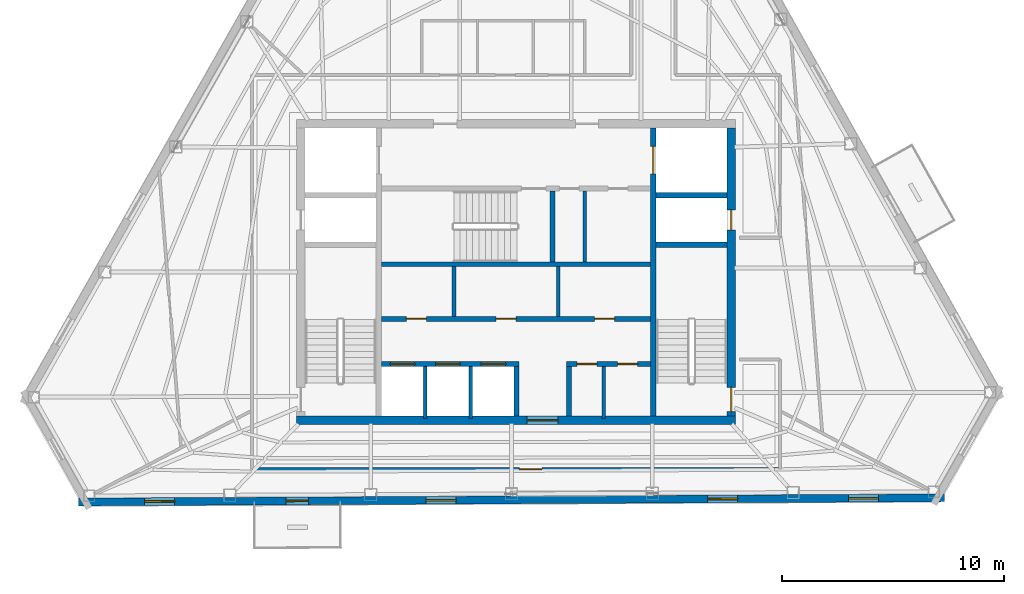
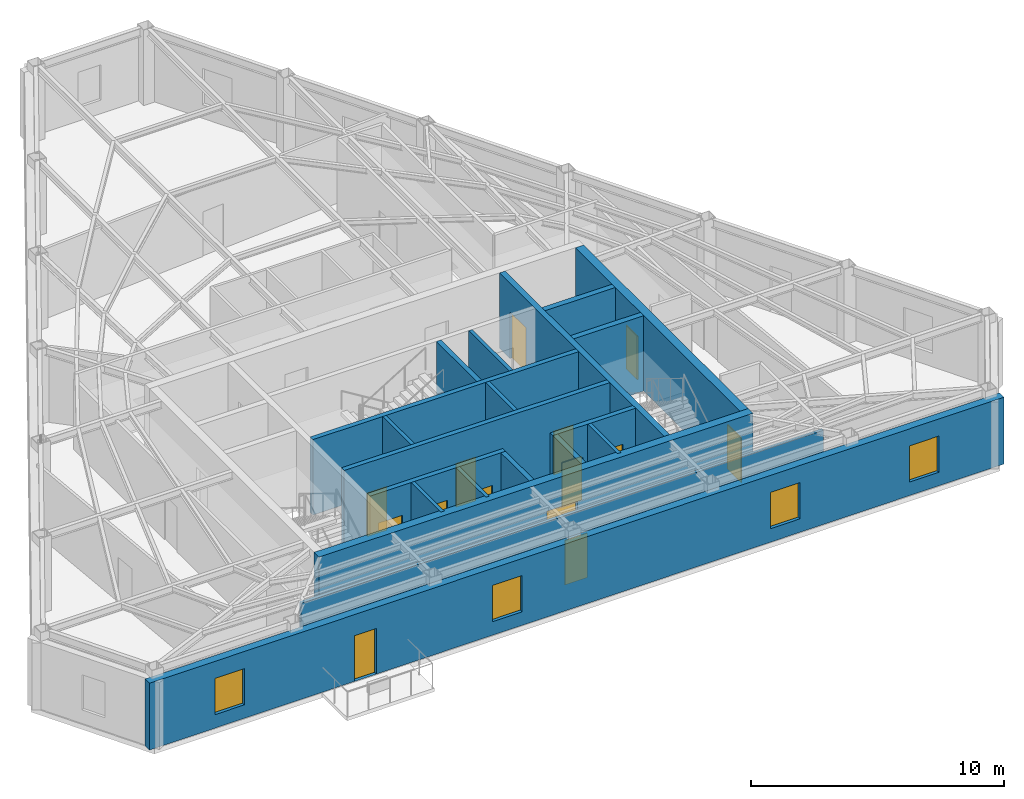
# One storey, part 5 of 9: 20 walls, 14 doors, 4 windows, 18 openings.
"""IFC4 building model written with IfcOpenShell, lengths in metres."""

from ifc_helpers import new_model, si_unit, direction, frame, frame_2d, origin, place, context, subcontext, project, spatial, rectangle, extrude, material, layer, layer_set, type_object, element, fill, save


model = new_model("IFC4")

# Units and contexts
model_context = context("Model", 3, precision=1e-05, world=origin(), true_north=direction((0.0, 1.0)))
body_context = subcontext(model_context, "Body", "Model", "MODEL_VIEW")
ifc_project = project(units=[si_unit("LENGTHUNIT", "METRE"), si_unit("AREAUNIT", "SQUARE_METRE"), si_unit("VOLUMEUNIT", "CUBIC_METRE"), si_unit("PLANEANGLEUNIT", "RADIAN"), si_unit("MASSUNIT", "GRAM", prefix="KILO")], contexts=[model_context])

# Site, building, storey
site_placement = place(None, origin())
site = spatial("IfcSite", under=ifc_project, at=site_placement, CompositionType="ELEMENT")
building_placement = place(site_placement, origin())
building = spatial("IfcBuilding", under=site, at=building_placement, Name="Kavelnor Concourse Tower", CompositionType="ELEMENT")
storey_placement = place(building_placement, frame((0.0, 0.0, 301.10009765625)))
storey = spatial("IfcBuildingStorey", under=building, at=storey_placement, Name="L76", CompositionType="ELEMENT", Elevation=301.10009765625)

# Wall, opening, door
ifc_material_1 = material(Name="Concrete C50/60", Category="concrete")
ifc_layer_1 = layer(ifc_material_1, 0.3798828125, Name="Concrete C50/60")
ifc_layer_set_1 = layer_set([ifc_layer_1], Name="Concrete C50/60")
wall_type_1 = type_object("IfcWallType", Name="WL-CORE-Z4-380", PredefinedType="SOLIDWALL", material=ifc_layer_set_1)
wall_1_placement = place(storey_placement, frame((28.10009765625, 9.409912109375, 0.0), z_axis=(0.0, 0.0, 1.0), x_axis=(1.0, 0.0, 0.0)))
wall_1 = element("IfcWall", 1, at=wall_1_placement, inside=storey, type_object=wall_type_1, Name="L76 Central Core South Shear Wall", PredefinedType="SOLIDWALL", context=body_context, shape_type="SweptSolid", body=[
    extrude(rectangle(XDim=19.7998046875, YDim=0.3798828125, at=frame_2d((9.89990234375, 0.0))), origin(), (0.0, 0.0, 1.0), 3.635009765625),
])
opening_1_placement = place(wall_1_placement, frame((10.39990234375, 0.0, 0.0)))
opening_1 = element("IfcOpeningElement", 2, at=opening_1_placement, cuts=wall_1, Name="Opening SD-140", PredefinedType="OPENING", context=body_context, shape_type="SweptSolid", body=[
    extrude(rectangle(XDim=1.39990234375, YDim=2.199951171875, at=frame_2d((0.699951171875, 1.10009765625))), frame((0.0, 0.199951171875, 0.0), z_axis=(0.0, -1.0, 0.0), x_axis=(1.0, 0.0, 0.0)), (0.0, 0.0, 1.0), 0.39990234375),
])
ifc_material_2 = material(Name="Solid-core hardwood timber", Category="wood")
door_type_1 = type_object("IfcDoorType", Name="DR-SUITE-ENTRY-1400", OperationType="NOTDEFINED", PredefinedType="DOOR", material=ifc_material_2)
door_1_placement = place(opening_1_placement, origin())
door_1 = element("IfcDoor", 3, at=door_1_placement, inside=storey, type_object=door_type_1, Name="L76 Passenger Lift Lobby Entry Door", OperationType="SINGLE_SWING_LEFT", OverallHeight=2.199951171875, OverallWidth=1.39990234375, PredefinedType="DOOR", context=body_context, shape_type="SweptSolid", body=[
    extrude(rectangle(XDim=1.39990234375, YDim=2.199951171875, at=frame_2d((0.699951171875, 1.10009765625))), frame((0.0, 0.02490234375, 0.0), z_axis=(0.0, -1.0, 0.0), x_axis=(1.0, 0.0, 0.0)), (0.0, 0.0, 1.0), 0.050048828125),
])
fill(opening_1, door_1)

# Wall, openings, doors
wall_2_placement = place(storey_placement, frame((47.7099609375, 9.60009765625, 0.0), z_axis=(0.0, 0.0, 1.0), x_axis=(0.0, 1.0, 0.0)))
wall_2 = element("IfcWall", 4, at=wall_2_placement, inside=storey, type_object=wall_type_1, Name="L76 Central Core East Shear Wall", PredefinedType="SOLIDWALL", context=body_context, shape_type="SweptSolid", body=[
    extrude(rectangle(XDim=13.0, YDim=0.3798828125, at=frame_2d((6.5, 0.0))), origin(), (0.0, 0.0, 1.0), 3.635009765625),
])
opening_2_placement = place(wall_2_placement, frame((0.199951171875, 0.0, 0.0)))
opening_2 = element("IfcOpeningElement", 5, at=opening_2_placement, cuts=wall_2, Name="Opening FD-110", PredefinedType="OPENING", context=body_context, shape_type="SweptSolid", body=[
    extrude(rectangle(XDim=1.10009765625, YDim=2.14990234375, at=frame_2d((0.550048828125, 1.074951171875))), frame((0.0, 0.199951171875, 0.0), z_axis=(0.0, -1.0, 0.0), x_axis=(1.0, 0.0, 0.0)), (0.0, 0.0, 1.0), 0.39990234375),
])
opening_3_placement = place(wall_2_placement, frame((8.39990234375, 0.0, 0.0)))
opening_3 = element("IfcOpeningElement", 6, at=opening_3_placement, cuts=wall_2, Name="Opening FD-090", PredefinedType="OPENING", context=body_context, shape_type="SweptSolid", body=[
    extrude(rectangle(XDim=0.89990234375, YDim=2.10009765625, at=frame_2d((0.449951171875, 1.050048828125))), frame((0.0, 0.199951171875, 0.0), z_axis=(0.0, -1.0, 0.0), x_axis=(1.0, 0.0, 0.0)), (0.0, 0.0, 1.0), 0.39990234375),
])
ifc_material_3 = material(Name="Steel Grade 350", Category="steel")
door_type_2 = type_object("IfcDoorType", Name="DR-RISER-FIRE-900", OperationType="NOTDEFINED", PredefinedType="DOOR", material=ifc_material_3)
door_2_placement = place(opening_3_placement, origin())
door_2 = element("IfcDoor", 7, at=door_2_placement, inside=storey, type_object=door_type_2, Name="L76 East Riser Access Door", OperationType="SINGLE_SWING_LEFT", OverallHeight=2.10009765625, OverallWidth=0.89990234375, PredefinedType="DOOR", context=body_context, shape_type="SweptSolid", body=[
    extrude(rectangle(XDim=0.89990234375, YDim=2.10009765625, at=frame_2d((0.449951171875, 1.050048828125))), frame((0.0, 0.02490234375, 0.0), z_axis=(0.0, -1.0, 0.0), x_axis=(1.0, 0.0, 0.0)), (0.0, 0.0, 1.0), 0.050048828125),
])
fill(opening_3, door_2)
door_type_3 = type_object("IfcDoorType", Name="DR-STAIR-FIRE-1100", OperationType="NOTDEFINED", PredefinedType="DOOR", material=ifc_material_3)
door_3_placement = place(opening_2_placement, origin())
door_3 = element("IfcDoor", 8, at=door_3_placement, inside=storey, type_object=door_type_3, Name="L76 Stair ST2 Fire Door", OperationType="SINGLE_SWING_RIGHT", OverallHeight=2.14990234375, OverallWidth=1.10009765625, PredefinedType="DOOR", context=body_context, shape_type="SweptSolid", body=[
    extrude(rectangle(XDim=1.10009765625, YDim=2.14990234375, at=frame_2d((0.550048828125, 1.074951171875))), frame((0.0, 0.02490234375, 0.0), z_axis=(0.0, -1.0, 0.0), x_axis=(1.0, 0.0, 0.0)), (0.0, 0.0, 1.0), 0.050048828125),
])
fill(opening_2, door_3)

# Wall, openings, door, windows
ifc_material_4 = material(Name="Red-ochre clay face brick masonry", Category="masonry")
ifc_layer_2 = layer(ifc_material_4, 0.35009765625, Name="Red-ochre clay face brick masonry")
ifc_layer_set_2 = layer_set([ifc_layer_2], Name="Red-ochre clay face brick masonry")
wall_type_2 = type_object("IfcWallType", Name="WL-EXT-RED-BRICK-PIER-350", PredefinedType="STANDARD", material=ifc_layer_set_2)
wall_3_placement = place(storey_placement, frame((57.3291015625, 5.912353515625, 0.0), z_axis=(0.0, 0.0, 1.0), x_axis=(-0.999988664308, -0.004761434209, 0.0)))
wall_3 = element("IfcWall", 9, at=wall_3_placement, inside=storey, type_object=wall_type_2, Name="L76 Exterior Brick Facade Wall E3", PredefinedType="STANDARD", context=body_context, shape_type="SweptSolid", body=[
    extrude(rectangle(XDim=39.0712890625, YDim=0.35009765625, at=frame_2d((19.53564453125, 0.0))), origin(), (0.0, 0.0, 1.0), 3.220947265625),
])
opening_4_placement = place(wall_3_placement, frame((28.703369140625, 0.0, 0.0)))
opening_4 = element("IfcOpeningElement", 10, at=opening_4_placement, cuts=wall_3, Name="Opening BD-100", PredefinedType="OPENING", context=body_context, shape_type="SweptSolid", body=[
    extrude(rectangle(XDim=1.0, YDim=2.199951171875, at=frame_2d((0.5, 1.10009765625))), frame((0.0, 0.18505859375, 0.0), z_axis=(0.0, -1.0, 0.0), x_axis=(1.0, 0.0, 0.0)), (0.0, 0.0, 1.0), 0.3701171875),
])
opening_5_placement = place(wall_3_placement, frame((34.73779296875, 0.0, 0.64990234375)))
opening_5 = element("IfcOpeningElement", 11, at=opening_5_placement, cuts=wall_3, Name="Opening W-04", PredefinedType="OPENING", context=body_context, shape_type="SweptSolid", body=[
    extrude(rectangle(XDim=1.35009765625, YDim=1.75, at=frame_2d((0.675048828125, 0.875))), frame((0.0, 0.18505859375, 0.0), z_axis=(0.0, -1.0, 0.0), x_axis=(1.0, 0.0, 0.0)), (0.0, 0.0, 1.0), 0.3701171875),
])
opening_6_placement = place(wall_3_placement, frame((22.0341796875, 0.0, 0.64990234375)))
opening_6 = element("IfcOpeningElement", 12, at=opening_6_placement, cuts=wall_3, Name="Opening W-04", PredefinedType="OPENING", context=body_context, shape_type="SweptSolid", body=[
    extrude(rectangle(XDim=1.35009765625, YDim=1.75, at=frame_2d((0.675048828125, 0.875))), frame((0.0, 0.18505859375, 0.0), z_axis=(0.0, -1.0, 0.0), x_axis=(1.0, 0.0, 0.0)), (0.0, 0.0, 1.0), 0.3701171875),
])
opening_7_placement = place(wall_3_placement, frame((9.330810546875, 0.0, 0.64990234375)))
opening_7 = element("IfcOpeningElement", 13, at=opening_7_placement, cuts=wall_3, Name="Opening W-04", PredefinedType="OPENING", context=body_context, shape_type="SweptSolid", body=[
    extrude(rectangle(XDim=1.35009765625, YDim=1.75, at=frame_2d((0.675048828125, 0.875))), frame((0.0, 0.18505859375, 0.0), z_axis=(0.0, -1.0, 0.0), x_axis=(1.0, 0.0, 0.0)), (0.0, 0.0, 1.0), 0.3701171875),
])
opening_8_placement = place(wall_3_placement, frame((2.97900390625, 0.0, 0.64990234375)))
opening_8 = element("IfcOpeningElement", 14, at=opening_8_placement, cuts=wall_3, Name="Opening W-04", PredefinedType="OPENING", context=body_context, shape_type="SweptSolid", body=[
    extrude(rectangle(XDim=1.35009765625, YDim=1.75, at=frame_2d((0.675048828125, 0.875))), frame((0.0, 0.18505859375, 0.0), z_axis=(0.0, -1.0, 0.0), x_axis=(1.0, 0.0, 0.0)), (0.0, 0.0, 1.0), 0.3701171875),
])
ifc_material_5 = material(Name="Anodised aluminium 6063-T6", Category="aluminium")
door_type_4 = type_object("IfcDoorType", Name="DR-BALCONY-EXT-1000", OperationType="NOTDEFINED", PredefinedType="DOOR", material=ifc_material_5)
door_4_placement = place(opening_4_placement, origin())
door_4 = element("IfcDoor", 15, at=door_4_placement, inside=storey, type_object=door_type_4, Name="L76 Tree Balcony 1 Glazed Door", OperationType="SINGLE_SWING_LEFT", OverallHeight=2.199951171875, OverallWidth=1.0, PredefinedType="DOOR", context=body_context, shape_type="SweptSolid", body=[
    extrude(rectangle(XDim=1.0, YDim=2.199951171875, at=frame_2d((0.5, 1.10009765625))), frame((0.0, 0.02490234375, 0.0), z_axis=(0.0, -1.0, 0.0), x_axis=(1.0, 0.0, 0.0)), (0.0, 0.0, 1.0), 0.050048828125),
])
fill(opening_4, door_4)
ifc_material_6 = material(Name="Double low-E argon insulated glazing", Category="glass")
window_type = type_object("IfcWindowType", Name="WIN-PIER-Z4-1350", PartitioningType="SINGLE_PANEL", PredefinedType="WINDOW", material=ifc_material_6)
window_1_placement = place(opening_5_placement, origin())
window_1 = element("IfcWindow", 16, at=window_1_placement, inside=storey, type_object=window_type, Name="L76 Deep-Set Brick Pier Window F1-B0", OverallHeight=1.75, OverallWidth=1.35009765625, PartitioningType="SINGLE_PANEL", PredefinedType="WINDOW", context=body_context, shape_type="SweptSolid", body=[
    extrude(rectangle(XDim=1.35009765625, YDim=1.75, at=frame_2d((0.675048828125, 0.875))), frame((0.0, 0.030029296875, 0.0), z_axis=(0.0, -1.0, 0.0), x_axis=(1.0, 0.0, 0.0)), (0.0, 0.0, 1.0), 0.06005859375),
])
fill(opening_5, window_1)
window_2_placement = place(opening_6_placement, origin())
window_2 = element("IfcWindow", 17, at=window_2_placement, inside=storey, type_object=window_type, Name="L76 Deep-Set Brick Pier Window F1-B2", OverallHeight=1.75, OverallWidth=1.35009765625, PartitioningType="SINGLE_PANEL", PredefinedType="WINDOW", context=body_context, shape_type="SweptSolid", body=[
    extrude(rectangle(XDim=1.35009765625, YDim=1.75, at=frame_2d((0.675048828125, 0.875))), frame((0.0, 0.030029296875, 0.0), z_axis=(0.0, -1.0, 0.0), x_axis=(1.0, 0.0, 0.0)), (0.0, 0.0, 1.0), 0.06005859375),
])
fill(opening_6, window_2)
window_3_placement = place(opening_7_placement, origin())
window_3 = element("IfcWindow", 18, at=window_3_placement, inside=storey, type_object=window_type, Name="L76 Deep-Set Brick Pier Window F1-B4", OverallHeight=1.75, OverallWidth=1.35009765625, PartitioningType="SINGLE_PANEL", PredefinedType="WINDOW", context=body_context, shape_type="SweptSolid", body=[
    extrude(rectangle(XDim=1.35009765625, YDim=1.75, at=frame_2d((0.675048828125, 0.875))), frame((0.0, 0.030029296875, 0.0), z_axis=(0.0, -1.0, 0.0), x_axis=(1.0, 0.0, 0.0)), (0.0, 0.0, 1.0), 0.06005859375),
])
fill(opening_7, window_3)
window_4_placement = place(opening_8_placement, origin())
window_4 = element("IfcWindow", 19, at=window_4_placement, inside=storey, type_object=window_type, Name="L76 Deep-Set Brick Pier Window F1-B5", OverallHeight=1.75, OverallWidth=1.35009765625, PartitioningType="SINGLE_PANEL", PredefinedType="WINDOW", context=body_context, shape_type="SweptSolid", body=[
    extrude(rectangle(XDim=1.35009765625, YDim=1.75, at=frame_2d((0.675048828125, 0.875))), frame((0.0, 0.030029296875, 0.0), z_axis=(0.0, -1.0, 0.0), x_axis=(1.0, 0.0, 0.0)), (0.0, 0.0, 1.0), 0.06005859375),
])
fill(opening_8, window_4)

# Wall, opening, door
ifc_material_7 = material(Name="Gypsum plasterboard on light-gauge steel studs", Category="steel")
ifc_layer_3 = layer(ifc_material_7, 0.14501953125, Name="Gypsum plasterboard on light-gauge steel studs")
ifc_layer_set_3 = layer_set([ifc_layer_3], Name="Gypsum plasterboard on light-gauge steel studs")
wall_type_3 = type_object("IfcWallType", Name="WL-INT-CORR-145", PredefinedType="PARTITIONING", material=ifc_layer_set_3)
wall_4_placement = place(storey_placement, frame((49.909912109375, 7.2099609375, 0.0), z_axis=(0.0, 0.0, 1.0), x_axis=(-1.0, 0.0, 0.0)))
wall_4 = element("IfcWall", 20, at=wall_4_placement, inside=storey, type_object=wall_type_3, Name="L76 Corridor Wall WL-L76-CR-09", PredefinedType="PARTITIONING", context=body_context, shape_type="SweptSolid", body=[
    extrude(rectangle(XDim=23.81982421875, YDim=0.14501953125, at=frame_2d((11.909912109375, 0.0))), origin(), (0.0, 0.0, 1.0), 3.3740234375),
])
opening_9_placement = place(wall_4_placement, frame((10.739990234375, 0.0, 0.0)))
opening_9 = element("IfcOpeningElement", 21, at=opening_9_placement, cuts=wall_4, Name="Opening MD-102", PredefinedType="OPENING", context=body_context, shape_type="SweptSolid", body=[
    extrude(rectangle(XDim=1.02001953125, YDim=2.14990234375, at=frame_2d((0.510009765625, 1.074951171875))), frame((0.0, 0.08251953125, 0.0), z_axis=(0.0, -1.0, 0.0), x_axis=(1.0, 0.0, 0.0)), (0.0, 0.0, 1.0), 0.1650390625),
])
ifc_material_8 = material(Name="Acoustic glazed timber frame", Category="wood")
door_type_5 = type_object("IfcDoorType", Name="DR-MEETING-1020", OperationType="NOTDEFINED", PredefinedType="DOOR", material=ifc_material_8)
door_5_placement = place(opening_9_placement, origin())
door_5 = element("IfcDoor", 22, at=door_5_placement, inside=storey, type_object=door_type_5, Name="L76 Client Boardroom 07 Door", OperationType="SINGLE_SWING_RIGHT", OverallHeight=2.14990234375, OverallWidth=1.02001953125, PredefinedType="DOOR", context=body_context, shape_type="SweptSolid", body=[
    extrude(rectangle(XDim=1.02001953125, YDim=2.14990234375, at=frame_2d((0.510009765625, 1.074951171875))), frame((0.0, 0.02490234375, 0.0), z_axis=(0.0, -1.0, 0.0), x_axis=(1.0, 0.0, 0.0)), (0.0, 0.0, 1.0), 0.050048828125),
])
fill(opening_9, door_5)

# Walls
ifc_layer_4 = layer(ifc_material_7, 0.1650390625, Name="Gypsum plasterboard on light-gauge steel studs")
ifc_layer_set_4 = layer_set([ifc_layer_4], Name="Gypsum plasterboard on light-gauge steel studs")
wall_type_4 = type_object("IfcWallType", Name="WL-INT-FIRE-165", PredefinedType="PARTITIONING", material=ifc_layer_set_4)
for number, where, z_axis, x_axis, name in (
    (23, (33.89990234375, 9.489990234375, 0.0), (0.0, 0.0, 1.0), (0.0, 1.0, 0.0), "L76 Lift Shaft Divider LP7"),
    (24, (35.949951171875, 9.489990234375, 0.0), (0.0, 0.0, 1.0), (0.0, 1.0, 0.0), "L76 Lift Shaft Divider LP8"),
):
    element("IfcWall", number, at=place(storey_placement, frame(where, z_axis=z_axis, x_axis=x_axis)), inside=storey, type_object=wall_type_4, Name=name, PredefinedType="PARTITIONING", context=body_context, shape_type="SweptSolid", body=[
        extrude(rectangle(XDim=2.35009765625, YDim=0.1650390625, at=frame_2d((1.175048828125, 0.0))), origin(), (0.0, 0.0, 1.0), 3.635009765625),
    ])
for number, where, z_axis, x_axis, name in (
    (25, (35.199951171875, 14.10009765625, 0.0), (0.0, 0.0, 1.0), (0.0, 1.0, 0.0), "L76 Reclaimed Core Partition A"),
    (26, (39.89990234375, 14.10009765625, 0.0), (0.0, 0.0, 1.0), (0.0, 1.0, 0.0), "L76 Reclaimed Core Partition B"),
):
    element("IfcWall", number, at=place(storey_placement, frame(where, z_axis=z_axis, x_axis=x_axis)), inside=storey, type_object=wall_type_4, Name=name, PredefinedType="PARTITIONING", context=body_context, shape_type="SweptSolid", body=[
        extrude(rectangle(XDim=2.239990234375, YDim=0.1650390625, at=frame_2d((1.1201171875, 0.0))), origin(), (0.0, 0.0, 1.0), 3.635009765625),
    ])
wall_5_placement = place(storey_placement, frame((41.10009765625, 16.56005859375, 0.0), z_axis=(0.0, 0.0, 1.0), x_axis=(0.0, 1.0, 0.0)))
element("IfcWall", 27, at=wall_5_placement, inside=storey, type_object=wall_type_4, Name="L76 Core Support West Divider", PredefinedType="PARTITIONING", context=body_context, shape_type="SweptSolid", body=[
    extrude(rectangle(XDim=3.199951171875, YDim=0.1650390625, at=frame_2d((1.60009765625, 0.0))), origin(), (0.0, 0.0, 1.0), 3.635009765625),
])
wall_6_placement = place(storey_placement, frame((41.949951171875, 9.489990234375, 0.0), z_axis=(0.0, 0.0, 1.0), x_axis=(0.0, 1.0, 0.0)))
element("IfcWall", 28, at=wall_6_placement, inside=storey, type_object=wall_type_4, Name="L76 Core WC Partition", PredefinedType="PARTITIONING", context=body_context, shape_type="SweptSolid", body=[
    extrude(rectangle(XDim=2.35009765625, YDim=0.1650390625, at=frame_2d((1.175048828125, 0.0))), origin(), (0.0, 0.0, 1.0), 3.635009765625),
])
ifc_layer_5 = layer(ifc_material_1, 0.219970703125, Name="Concrete C50/60")
ifc_layer_set_5 = layer_set([ifc_layer_5], Name="Concrete C50/60")
wall_type_5 = type_object("IfcWallType", Name="WL-SHAFT-220", PredefinedType="SOLIDWALL", material=ifc_layer_set_5)
wall_7_placement = place(storey_placement, frame((31.93994140625, 16.449951171875, 0.0), z_axis=(0.0, 0.0, 1.0), x_axis=(1.0, 0.0, 0.0)))
element("IfcWall", 29, at=wall_7_placement, inside=storey, type_object=wall_type_5, Name="L76 Stair ST3 South Core Wall", PredefinedType="SOLIDWALL", context=body_context, shape_type="SweptSolid", body=[
    extrude(rectangle(XDim=12.1201171875, YDim=0.219970703125, at=frame_2d((6.06005859375, 0.0))), origin(), (0.0, 0.0, 1.0), 3.635009765625),
])
wall_8_placement = place(storey_placement, frame((39.64990234375, 16.56005859375, 0.0), z_axis=(0.0, 0.0, 1.0), x_axis=(0.0, 1.0, 0.0)))
element("IfcWall", 30, at=wall_8_placement, inside=storey, type_object=wall_type_5, Name="L76 Stair ST3 East Core Wall", PredefinedType="SOLIDWALL", context=body_context, shape_type="SweptSolid", body=[
    extrude(rectangle(XDim=3.199951171875, YDim=0.219970703125, at=frame_2d((1.60009765625, 0.0))), origin(), (0.0, 0.0, 1.0), 3.635009765625),
])

# Wall, openings, doors
wall_9_placement = place(storey_placement, frame((31.93994140625, 13.989990234375, 0.0), z_axis=(0.0, 0.0, 1.0), x_axis=(1.0, 0.0, 0.0)))
wall_9 = element("IfcWall", 31, at=wall_9_placement, inside=storey, type_object=wall_type_5, Name="L76 North Lift Row Shaft Wall", PredefinedType="SOLIDWALL", context=body_context, shape_type="SweptSolid", body=[
    extrude(rectangle(XDim=12.1201171875, YDim=0.219970703125, at=frame_2d((6.06005859375, 0.0))), origin(), (0.0, 0.0, 1.0), 3.635009765625),
])
opening_10_placement = place(wall_9_placement, frame((1.110107421875, 0.0, 0.0)))
opening_10 = element("IfcOpeningElement", 32, at=opening_10_placement, cuts=wall_9, Name="Opening FD-090", PredefinedType="OPENING", context=body_context, shape_type="SweptSolid", body=[
    extrude(rectangle(XDim=0.89990234375, YDim=2.10009765625, at=frame_2d((0.449951171875, 1.050048828125))), frame((0.0, 0.1201171875, 0.0), z_axis=(0.0, -1.0, 0.0), x_axis=(1.0, 0.0, 0.0)), (0.0, 0.0, 1.0), 0.239990234375),
])
opening_11_placement = place(wall_9_placement, frame((5.159912109375, 0.0, 0.0)))
opening_11 = element("IfcOpeningElement", 33, at=opening_11_placement, cuts=wall_9, Name="Opening FD-090", PredefinedType="OPENING", context=body_context, shape_type="SweptSolid", body=[
    extrude(rectangle(XDim=0.89990234375, YDim=2.10009765625, at=frame_2d((0.449951171875, 1.050048828125))), frame((0.0, 0.1201171875, 0.0), z_axis=(0.0, -1.0, 0.0), x_axis=(1.0, 0.0, 0.0)), (0.0, 0.0, 1.0), 0.239990234375),
])
opening_12_placement = place(wall_9_placement, frame((9.610107421875, 0.0, 0.0)))
opening_12 = element("IfcOpeningElement", 34, at=opening_12_placement, cuts=wall_9, Name="Opening FD-090", PredefinedType="OPENING", context=body_context, shape_type="SweptSolid", body=[
    extrude(rectangle(XDim=0.89990234375, YDim=2.10009765625, at=frame_2d((0.449951171875, 1.050048828125))), frame((0.0, 0.1201171875, 0.0), z_axis=(0.0, -1.0, 0.0), x_axis=(1.0, 0.0, 0.0)), (0.0, 0.0, 1.0), 0.239990234375),
])
door_6_placement = place(opening_10_placement, origin())
door_6 = element("IfcDoor", 35, at=door_6_placement, inside=storey, type_object=door_type_2, Name="L76 Reclaimed Core Door A", OperationType="SINGLE_SWING_RIGHT", OverallHeight=2.10009765625, OverallWidth=0.89990234375, PredefinedType="DOOR", context=body_context, shape_type="SweptSolid", body=[
    extrude(rectangle(XDim=0.89990234375, YDim=2.10009765625, at=frame_2d((0.449951171875, 1.050048828125))), frame((0.0, 0.02490234375, 0.0), z_axis=(0.0, -1.0, 0.0), x_axis=(1.0, 0.0, 0.0)), (0.0, 0.0, 1.0), 0.050048828125),
])
fill(opening_10, door_6)
door_7_placement = place(opening_11_placement, origin())
door_7 = element("IfcDoor", 36, at=door_7_placement, inside=storey, type_object=door_type_2, Name="L76 Reclaimed Core Door B", OperationType="SINGLE_SWING_LEFT", OverallHeight=2.10009765625, OverallWidth=0.89990234375, PredefinedType="DOOR", context=body_context, shape_type="SweptSolid", body=[
    extrude(rectangle(XDim=0.89990234375, YDim=2.10009765625, at=frame_2d((0.449951171875, 1.050048828125))), frame((0.0, 0.02490234375, 0.0), z_axis=(0.0, -1.0, 0.0), x_axis=(1.0, 0.0, 0.0)), (0.0, 0.0, 1.0), 0.050048828125),
])
fill(opening_11, door_7)
door_8_placement = place(opening_12_placement, origin())
door_8 = element("IfcDoor", 37, at=door_8_placement, inside=storey, type_object=door_type_2, Name="L76 Reclaimed Core Door C", OperationType="SINGLE_SWING_RIGHT", OverallHeight=2.10009765625, OverallWidth=0.89990234375, PredefinedType="DOOR", context=body_context, shape_type="SweptSolid", body=[
    extrude(rectangle(XDim=0.89990234375, YDim=2.10009765625, at=frame_2d((0.449951171875, 1.050048828125))), frame((0.0, 0.02490234375, 0.0), z_axis=(0.0, -1.0, 0.0), x_axis=(1.0, 0.0, 0.0)), (0.0, 0.0, 1.0), 0.050048828125),
])
fill(opening_12, door_8)

wall_10_placement = place(storey_placement, frame((31.93994140625, 11.949951171875, 0.0), z_axis=(0.0, 0.0, 1.0), x_axis=(1.0, 0.0, 0.0)))
wall_10 = element("IfcWall", 38, at=wall_10_placement, inside=storey, type_object=wall_type_5, Name="L76 High-Rise Lift Bank North Wall", PredefinedType="SOLIDWALL", context=body_context, shape_type="SweptSolid", body=[
    extrude(rectangle(XDim=6.18994140625, YDim=0.219970703125, at=frame_2d((3.094970703125, 0.0))), origin(), (0.0, 0.0, 1.0), 3.635009765625),
])
opening_13_placement = place(wall_10_placement, frame((0.385009765625, 0.0, 0.0)))
opening_13 = element("IfcOpeningElement", 39, at=opening_13_placement, cuts=wall_10, Name="Opening LD-110", PredefinedType="OPENING", context=body_context, shape_type="SweptSolid", body=[
    extrude(rectangle(XDim=1.10009765625, YDim=2.199951171875, at=frame_2d((0.550048828125, 1.10009765625))), frame((0.0, 0.1201171875, 0.0), z_axis=(0.0, -1.0, 0.0), x_axis=(1.0, 0.0, 0.0)), (0.0, 0.0, 1.0), 0.239990234375),
])
opening_14_placement = place(wall_10_placement, frame((2.43505859375, 0.0, 0.0)))
opening_14 = element("IfcOpeningElement", 40, at=opening_14_placement, cuts=wall_10, Name="Opening LD-110", PredefinedType="OPENING", context=body_context, shape_type="SweptSolid", body=[
    extrude(rectangle(XDim=1.10009765625, YDim=2.199951171875, at=frame_2d((0.550048828125, 1.10009765625))), frame((0.0, 0.1201171875, 0.0), z_axis=(0.0, -1.0, 0.0), x_axis=(1.0, 0.0, 0.0)), (0.0, 0.0, 1.0), 0.239990234375),
])
opening_15_placement = place(wall_10_placement, frame((4.485107421875, 0.0, 0.0)))
opening_15 = element("IfcOpeningElement", 41, at=opening_15_placement, cuts=wall_10, Name="Opening LD-110", PredefinedType="OPENING", context=body_context, shape_type="SweptSolid", body=[
    extrude(rectangle(XDim=1.10009765625, YDim=2.199951171875, at=frame_2d((0.550048828125, 1.10009765625))), frame((0.0, 0.1201171875, 0.0), z_axis=(0.0, -1.0, 0.0), x_axis=(1.0, 0.0, 0.0)), (0.0, 0.0, 1.0), 0.239990234375),
])
door_type_6 = type_object("IfcDoorType", Name="DR-LIFT-SLIDING-1100", OperationType="NOTDEFINED", PredefinedType="DOOR", material=ifc_material_3)
door_9_placement = place(opening_13_placement, origin())
door_9 = element("IfcDoor", 42, at=door_9_placement, inside=storey, type_object=door_type_6, Name="L76 Lift LP7 Landing Door", OperationType="DOUBLE_DOOR_SLIDING", OverallHeight=2.199951171875, OverallWidth=1.10009765625, PredefinedType="DOOR", context=body_context, shape_type="SweptSolid", body=[
    extrude(rectangle(XDim=1.10009765625, YDim=2.199951171875, at=frame_2d((0.550048828125, 1.10009765625))), frame((0.0, 0.02490234375, 0.0), z_axis=(0.0, -1.0, 0.0), x_axis=(1.0, 0.0, 0.0)), (0.0, 0.0, 1.0), 0.050048828125),
])
fill(opening_13, door_9)
door_10_placement = place(opening_14_placement, origin())
door_10 = element("IfcDoor", 43, at=door_10_placement, inside=storey, type_object=door_type_6, Name="L76 Lift LP8 Landing Door", OperationType="DOUBLE_DOOR_SLIDING", OverallHeight=2.199951171875, OverallWidth=1.10009765625, PredefinedType="DOOR", context=body_context, shape_type="SweptSolid", body=[
    extrude(rectangle(XDim=1.10009765625, YDim=2.199951171875, at=frame_2d((0.550048828125, 1.10009765625))), frame((0.0, 0.02490234375, 0.0), z_axis=(0.0, -1.0, 0.0), x_axis=(1.0, 0.0, 0.0)), (0.0, 0.0, 1.0), 0.050048828125),
])
fill(opening_14, door_10)
door_11_placement = place(opening_15_placement, origin())
door_11 = element("IfcDoor", 44, at=door_11_placement, inside=storey, type_object=door_type_6, Name="L76 Lift LP9 Landing Door", OperationType="DOUBLE_DOOR_SLIDING", OverallHeight=2.199951171875, OverallWidth=1.10009765625, PredefinedType="DOOR", context=body_context, shape_type="SweptSolid", body=[
    extrude(rectangle(XDim=1.10009765625, YDim=2.199951171875, at=frame_2d((0.550048828125, 1.10009765625))), frame((0.0, 0.02490234375, 0.0), z_axis=(0.0, -1.0, 0.0), x_axis=(1.0, 0.0, 0.0)), (0.0, 0.0, 1.0), 0.050048828125),
])
fill(opening_15, door_11)

wall_11_placement = place(storey_placement, frame((40.280029296875, 11.949951171875, 0.0), z_axis=(0.0, 0.0, 1.0), x_axis=(1.0, 0.0, 0.0)))
wall_11 = element("IfcWall", 45, at=wall_11_placement, inside=storey, type_object=wall_type_5, Name="L76 Core South Support North Wall", PredefinedType="SOLIDWALL", context=body_context, shape_type="SweptSolid", body=[
    extrude(rectangle(XDim=3.780029296875, YDim=0.219970703125, at=frame_2d((1.89013671875, 0.0))), origin(), (0.0, 0.0, 1.0), 3.635009765625),
])
opening_16_placement = place(wall_11_placement, frame((0.469970703125, 0.0, 0.0)))
opening_16 = element("IfcOpeningElement", 46, at=opening_16_placement, cuts=wall_11, Name="Opening FD-090", PredefinedType="OPENING", context=body_context, shape_type="SweptSolid", body=[
    extrude(rectangle(XDim=0.89990234375, YDim=2.10009765625, at=frame_2d((0.449951171875, 1.050048828125))), frame((0.0, 0.1201171875, 0.0), z_axis=(0.0, -1.0, 0.0), x_axis=(1.0, 0.0, 0.0)), (0.0, 0.0, 1.0), 0.239990234375),
])
opening_17_placement = place(wall_11_placement, frame((2.300048828125, 0.0, 0.0)))
opening_17 = element("IfcOpeningElement", 47, at=opening_17_placement, cuts=wall_11, Name="Opening FD-090", PredefinedType="OPENING", context=body_context, shape_type="SweptSolid", body=[
    extrude(rectangle(XDim=0.89990234375, YDim=2.10009765625, at=frame_2d((0.449951171875, 1.050048828125))), frame((0.0, 0.1201171875, 0.0), z_axis=(0.0, -1.0, 0.0), x_axis=(1.0, 0.0, 0.0)), (0.0, 0.0, 1.0), 0.239990234375),
])
door_12_placement = place(opening_16_placement, origin())
door_12 = element("IfcDoor", 48, at=door_12_placement, inside=storey, type_object=door_type_2, Name="L76 Staff WC Door", OperationType="SINGLE_SWING_LEFT", OverallHeight=2.10009765625, OverallWidth=0.89990234375, PredefinedType="DOOR", context=body_context, shape_type="SweptSolid", body=[
    extrude(rectangle(XDim=0.89990234375, YDim=2.10009765625, at=frame_2d((0.449951171875, 1.050048828125))), frame((0.0, 0.02490234375, 0.0), z_axis=(0.0, -1.0, 0.0), x_axis=(1.0, 0.0, 0.0)), (0.0, 0.0, 1.0), 0.050048828125),
])
fill(opening_16, door_12)
door_13_placement = place(opening_17_placement, origin())
door_13 = element("IfcDoor", 49, at=door_13_placement, inside=storey, type_object=door_type_2, Name="L76 Core Comms Door", OperationType="SINGLE_SWING_RIGHT", OverallHeight=2.10009765625, OverallWidth=0.89990234375, PredefinedType="DOOR", context=body_context, shape_type="SweptSolid", body=[
    extrude(rectangle(XDim=0.89990234375, YDim=2.10009765625, at=frame_2d((0.449951171875, 1.050048828125))), frame((0.0, 0.02490234375, 0.0), z_axis=(0.0, -1.0, 0.0), x_axis=(1.0, 0.0, 0.0)), (0.0, 0.0, 1.0), 0.050048828125),
])
fill(opening_17, door_13)

# Walls
for number, where, z_axis, x_axis, name in (
    (50, (38.02001953125, 9.60009765625, 0.0), (0.0, 0.0, 1.0), (0.0, 1.0, 0.0), "L76 Lift Lobby Throat West Wall"),
    (51, (40.389892578125, 9.60009765625, 0.0), (0.0, 0.0, 1.0), (0.0, 1.0, 0.0), "L76 Lift Lobby Throat East Wall"),
):
    element("IfcWall", number, at=place(storey_placement, frame(where, z_axis=z_axis, x_axis=x_axis)), inside=storey, type_object=wall_type_5, Name=name, PredefinedType="SOLIDWALL", context=body_context, shape_type="SweptSolid", body=[
        extrude(rectangle(XDim=2.239990234375, YDim=0.219970703125, at=frame_2d((1.1201171875, 0.0))), origin(), (0.0, 0.0, 1.0), 3.635009765625),
    ])

# Wall, opening, door
ifc_layer_6 = layer(ifc_material_1, 0.260009765625, Name="Concrete C50/60")
ifc_layer_set_6 = layer_set([ifc_layer_6], Name="Concrete C50/60")
wall_type_6 = type_object("IfcWallType", Name="WL-SHAFT-260", PredefinedType="SHEAR", material=ifc_layer_set_6)
wall_12_placement = place(storey_placement, frame((44.18994140625, 9.60009765625, 0.0), z_axis=(0.0, 0.0, 1.0), x_axis=(0.0, 1.0, 0.0)))
wall_12 = element("IfcWall", 52, at=wall_12_placement, inside=storey, type_object=wall_type_6, Name="L76 Core East Wing Shear Wall", PredefinedType="SHEAR", context=body_context, shape_type="SweptSolid", body=[
    extrude(rectangle(XDim=13.0, YDim=0.260009765625, at=frame_2d((6.5, 0.0))), origin(), (0.0, 0.0, 1.0), 3.635009765625),
])
opening_18_placement = place(wall_12_placement, frame((10.925048828125, 0.0, 0.0)))
opening_18 = element("IfcOpeningElement", 53, at=opening_18_placement, cuts=wall_12, Name="Opening LD-125", PredefinedType="OPENING", context=body_context, shape_type="SweptSolid", body=[
    extrude(rectangle(XDim=1.25, YDim=2.25, at=frame_2d((0.625, 1.125))), frame((0.0, 0.14013671875, 0.0), z_axis=(0.0, -1.0, 0.0), x_axis=(1.0, 0.0, 0.0)), (0.0, 0.0, 1.0), 0.280029296875),
])
door_type_7 = type_object("IfcDoorType", Name="DR-LIFT-SLIDING-1250", OperationType="NOTDEFINED", PredefinedType="DOOR", material=ifc_material_3)
door_14_placement = place(opening_18_placement, origin())
door_14 = element("IfcDoor", 54, at=door_14_placement, inside=storey, type_object=door_type_7, Name="L76 Emergency Lift FL2 Landing Door", OperationType="DOUBLE_DOOR_SLIDING", OverallHeight=2.25, OverallWidth=1.25, PredefinedType="DOOR", context=body_context, shape_type="SweptSolid", body=[
    extrude(rectangle(XDim=1.25, YDim=2.25, at=frame_2d((0.625, 1.125))), frame((0.0, 0.02490234375, 0.0), z_axis=(0.0, -1.0, 0.0), x_axis=(1.0, 0.0, 0.0)), (0.0, 0.0, 1.0), 0.050048828125),
])
fill(opening_18, door_14)

# Walls
for number, where, z_axis, x_axis, name in (
    (55, (44.320068359375, 17.330078125, 0.0), (0.0, 0.0, 1.0), (1.0, 0.0, 0.0), "L76 Stair ST2 North Shaft Wall"),
    (56, (44.320068359375, 19.570068359375, 0.0), (0.0, 0.0, 1.0), (1.0, 0.0, 0.0), "L76 Emergency Lift FL2 South Shaft Wall"),
):
    element("IfcWall", number, at=place(storey_placement, frame(where, z_axis=z_axis, x_axis=x_axis)), inside=storey, type_object=wall_type_6, Name=name, PredefinedType="SHEAR", context=body_context, shape_type="SweptSolid", body=[
        extrude(rectangle(XDim=3.199951171875, YDim=0.260009765625, at=frame_2d((1.60009765625, 0.0))), origin(), (0.0, 0.0, 1.0), 3.635009765625),
    ])

save(model, "model.ifc")
